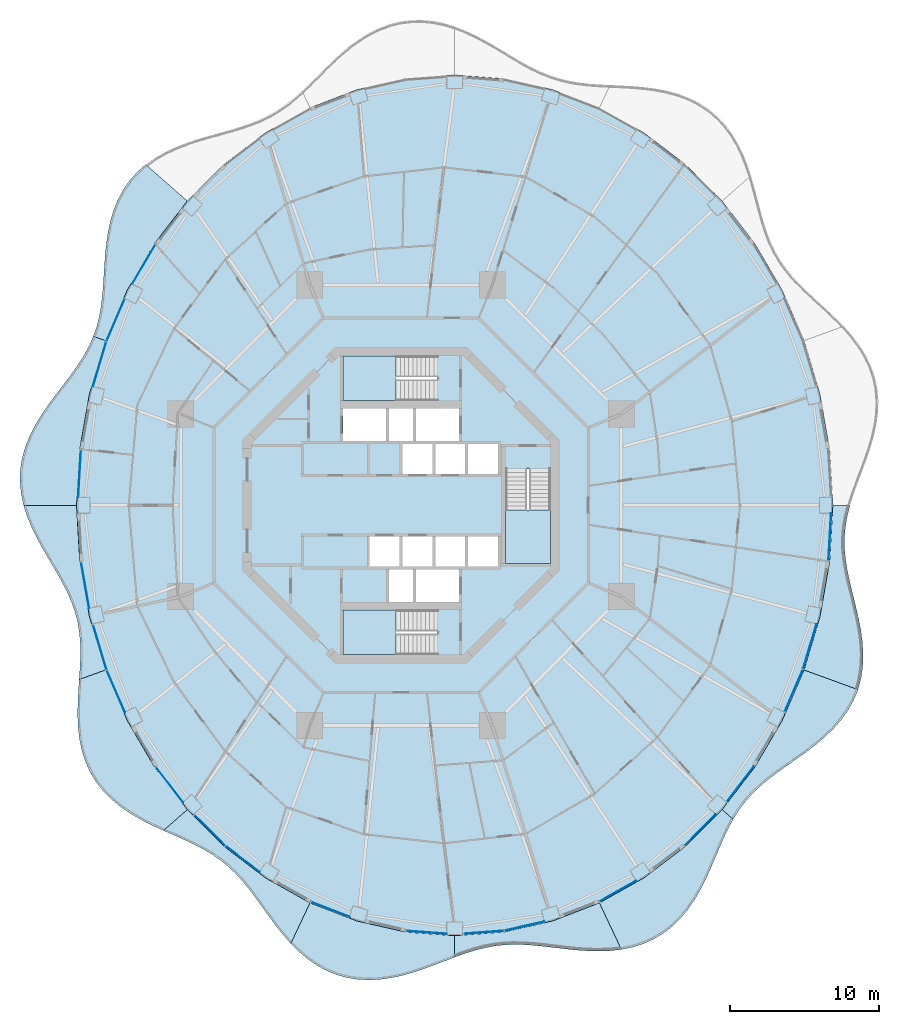
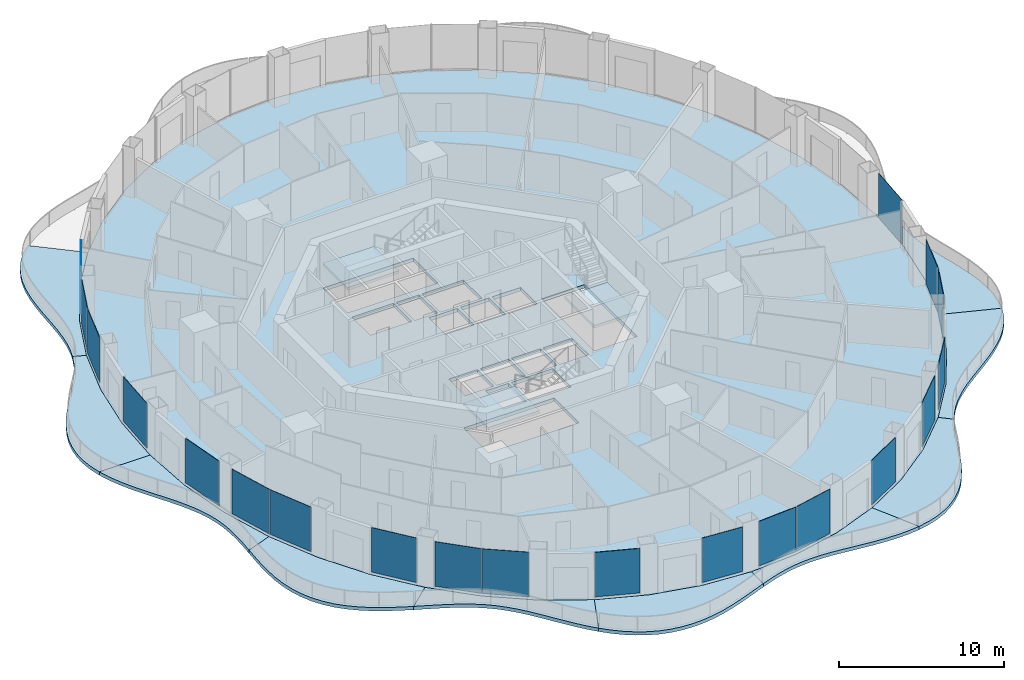
# One storey, part 9 of 19: 20 plates, 14 slabs, 23 elements without a shape of their own.
"""IFC4 building model written with IfcOpenShell, lengths in metres."""

from ifc_helpers import new_model, si_unit, direction, frame, origin, origin_2d, place, context, subcontext, project, spatial, polyline, rectangle, outline, extrude, material, layer, layer_set, type_object, element, aggregate, save


model = new_model("IFC4")

# Units and contexts
model_context = context("Model", 3, precision=1e-05, world=origin(), true_north=direction((0.0, 1.0)))
body_context = subcontext(model_context, "Body", "Model", "MODEL_VIEW")
ifc_project = project(units=[si_unit("LENGTHUNIT", "METRE"), si_unit("AREAUNIT", "SQUARE_METRE"), si_unit("VOLUMEUNIT", "CUBIC_METRE"), si_unit("PLANEANGLEUNIT", "RADIAN"), si_unit("MASSUNIT", "GRAM", prefix="KILO")], contexts=[model_context])

# Site, building, storey
site_placement = place(None, origin())
site = spatial("IfcSite", under=ifc_project, at=site_placement, CompositionType="ELEMENT")
building_placement = place(site_placement, origin())
building = spatial("IfcBuilding", under=site, at=building_placement, Name="Nagisa Residences", CompositionType="ELEMENT")
storey_placement = place(building_placement, frame((0.0, 0.0, 191.800048828125)))
storey = spatial("IfcBuildingStorey", under=building, at=storey_placement, Name="L48", CompositionType="ELEMENT", Elevation=191.800048828125)

# Slabs
ifc_material_1 = material(Name="Concrete C40/50", Category="concrete")
ifc_layer_1 = layer(ifc_material_1, 0.25)
ifc_layer_set_1 = layer_set([ifc_layer_1], Name="BALCONY SLAB 250")
slab_type_1 = type_object("IfcSlabType", Name="BALCONY SLAB 250", PredefinedType="FLOOR", material=ifc_layer_set_1)
slab_1_placement = place(storey_placement, frame((0.0, 0.0, -0.25)))
element("IfcSlab", 1, at=slab_1_placement, inside=storey, type_object=slab_type_1, Name="slab:L48:bal06", PredefinedType="FLOOR", context=body_context, shape_type="SweptSolid", body=[
    extrude(outline(polyline([(-17.132568359375, 22.869140625), (-17.717529296875, 22.348388671875), (-18.232177734375, 21.765380859375), (-18.671142578125, 21.123779296875), (-19.033203125, 20.43017578125), (-19.320068359375, 19.69287109375), (-19.537353515625, 18.92138671875), (-19.694091796875, 18.126220703125), (-19.8017578125, 17.318603515625), (-19.8740234375, 16.5087890625), (-19.92626953125, 15.705810546875), (-19.974365234375, 14.91796875), (-20.0341796875, 14.151123046875), (-20.119873046875, 13.4091796875), (-20.244140625, 12.694091796875), (-20.41650390625, 12.005615234375), (-20.64404296875, 11.34130859375), (-19.843505859375, 11.050048828125), (-18.37548828125, 14.4375), (-16.53125, 17.577880859375), (-14.3427734375, 20.417724609375), (-17.132568359375, 22.869140625)])), origin(), (0.0, 0.0, 1.0), 0.25),
])
slab_2_placement = place(storey_placement, frame((0.0, 0.0, -0.25)))
element("IfcSlab", 2, at=slab_2_placement, inside=storey, type_object=slab_type_1, Name="slab:L48:bal07", PredefinedType="FLOOR", context=body_context, shape_type="SweptSolid", body=[
    extrude(outline(polyline([(-20.64404296875, 11.34130859375), (-20.93896484375, 10.67724609375), (-21.2939453125, 10.02880859375), (-21.703125, 9.3896484375), (-22.156982421875, 8.75244140625), (-22.6416015625, 8.1103515625), (-23.14111328125, 7.45751953125), (-23.63720703125, 6.78857421875), (-24.11083984375, 6.10009765625), (-24.54296875, 5.390380859375), (-24.916259765625, 4.658935546875), (-25.21533203125, 3.907958984375), (-25.42822265625, 3.14013671875), (-25.546875, 2.360107421875), (-25.5673828125, 1.572998046875), (-25.490966796875, 0.784423828125), (-25.322998046875, 0.0), (-21.77490234375, 0.0), (-21.557861328125, 3.76904296875), (-20.910400390625, 7.473388671875), (-19.843505859375, 11.050048828125), (-20.64404296875, 11.34130859375)])), origin(), (0.0, 0.0, 1.0), 0.25),
])
slab_3_placement = place(storey_placement, frame((0.0, 0.0, -0.25)))
element("IfcSlab", 3, at=slab_3_placement, inside=storey, type_object=slab_type_1, Name="slab:L48:bal08", PredefinedType="FLOOR", context=body_context, shape_type="SweptSolid", body=[
    extrude(outline(polyline([(-25.322998046875, 0.0), (-25.0732421875, -0.775390625), (-24.755126953125, -1.5380859375), (-24.38525390625, -2.28515625), (-23.981689453125, -3.015625), (-23.56396484375, -3.729736328125), (-23.1513671875, -4.43017578125), (-22.76171875, -5.119873046875), (-22.410400390625, -5.80419921875), (-22.10986328125, -6.488525390625), (-21.868896484375, -7.178466796875), (-21.691162109375, -7.880126953125), (-21.576904296875, -8.59814453125), (-21.52099609375, -9.336669921875), (-21.51416015625, -10.097900390625), (-21.544189453125, -10.882080078125), (-21.595458984375, -11.687744140625), (-19.843505859375, -11.050048828125), (-20.910400390625, -7.473388671875), (-21.557861328125, -3.76904296875), (-21.77490234375, 0.0), (-25.322998046875, 0.0)])), origin(), (0.0, 0.0, 1.0), 0.25),
])
slab_4_placement = place(storey_placement, frame((0.0, 0.0, -0.25)))
element("IfcSlab", 4, at=slab_4_placement, inside=storey, type_object=slab_type_1, Name="slab:L48:bal09", PredefinedType="FLOOR", context=body_context, shape_type="SweptSolid", body=[
    extrude(outline(polyline([(-21.595458984375, -11.687744140625), (-21.648681640625, -12.485107421875), (-21.68896484375, -13.29345703125), (-21.69970703125, -14.10595703125), (-21.665283203125, -14.914306640625), (-21.572265625, -15.7099609375), (-21.40966796875, -16.483642578125), (-21.16943359375, -17.226318359375), (-20.84765625, -17.929931640625), (-20.443359375, -18.587890625), (-19.960205078125, -19.195556640625), (-19.404296875, -19.750244140625), (-18.78515625, -20.252197265625), (-18.115234375, -20.70361328125), (-17.407958984375, -21.1103515625), (-16.677978515625, -21.4794921875), (-15.939453125, -21.82080078125), (-14.3427734375, -20.417724609375), (-16.53125, -17.577880859375), (-18.37548828125, -14.4375), (-19.843505859375, -11.050048828125), (-21.595458984375, -11.687744140625)])), origin(), (0.0, 0.0, 1.0), 0.25),
])
slab_5_placement = place(storey_placement, frame((0.0, 0.0, -0.25)))
element("IfcSlab", 5, at=slab_5_placement, inside=storey, type_object=slab_type_1, Name="slab:L48:bal10", PredefinedType="FLOOR", context=body_context, shape_type="SweptSolid", body=[
    extrude(outline(polyline([(-15.939453125, -21.82080078125), (-15.240478515625, -22.130615234375), (-14.55712890625, -22.435791015625), (-13.89794921875, -22.74658203125), (-13.26953125, -23.07373046875), (-12.676025390625, -23.42626953125), (-12.118896484375, -23.8115234375), (-11.5966796875, -24.2353515625), (-11.10595703125, -24.700927734375), (-10.640869140625, -25.208740234375), (-10.194091796875, -25.756103515625), (-9.756591796875, -26.337646484375), (-9.319580078125, -26.945556640625), (-8.873291015625, -27.5693359375), (-8.408935546875, -28.196533203125), (-7.9189453125, -28.8134765625), (-7.396728515625, -29.405517578125), (-6.110595703125, -26.677001953125), (-9.08740234375, -25.006591796875), (-11.847412109375, -22.907958984375), (-14.3427734375, -20.417724609375), (-15.939453125, -21.82080078125)])), origin(), (0.0, 0.0, 1.0), 0.25),
])
slab_6_placement = place(storey_placement, frame((0.0, 0.0, -0.25)))
element("IfcSlab", 6, at=slab_6_placement, inside=storey, type_object=slab_type_1, Name="slab:L48:bal11", PredefinedType="FLOOR", context=body_context, shape_type="SweptSolid", body=[
    extrude(outline(polyline([(-7.396728515625, -29.405517578125), (-6.85888671875, -29.939453125), (-6.284912109375, -30.4248046875), (-5.67431640625, -30.850341796875), (-5.029052734375, -31.207275390625), (-4.35205078125, -31.488525390625), (-3.647705078125, -31.68994140625), (-2.922119140625, -31.809814453125), (-2.181640625, -31.85009765625), (-1.4326171875, -31.815185546875), (-0.68212890625, -31.712646484375), (0.064208984375, -31.552001953125), (0.80126953125, -31.3447265625), (1.525146484375, -31.1044921875), (2.233154296875, -30.8447265625), (2.924560546875, -30.57958984375), (3.60009765625, -30.322265625), (3.60009765625, -28.875), (0.287841796875, -28.6279296875), (-2.967529296875, -27.89111328125), (-6.110595703125, -26.677001953125), (-7.396728515625, -29.405517578125)])), origin(), (0.0, 0.0, 1.0), 0.25),
])
slab_7_placement = place(storey_placement, frame((0.0, 0.0, -0.25)))
element("IfcSlab", 7, at=slab_7_placement, inside=storey, type_object=slab_type_1, Name="slab:L48:bal12", PredefinedType="FLOOR", context=body_context, shape_type="SweptSolid", body=[
    extrude(outline(polyline([(3.60009765625, -30.322265625), (4.261474609375, -30.085205078125), (4.91259765625, -29.87841796875), (5.55712890625, -29.7099609375), (6.2001953125, -29.585205078125), (6.8466796875, -29.50634765625), (7.50146484375, -29.472900390625), (8.1689453125, -29.48095703125), (8.85205078125, -29.52392578125), (9.552978515625, -29.59326171875), (10.271728515625, -29.677978515625), (11.00732421875, -29.765869140625), (11.7568359375, -29.84375), (12.515625, -29.898681640625), (13.278076171875, -29.91796875), (14.037109375, -29.889892578125), (14.784912109375, -29.804931640625), (13.310546875, -26.677001953125), (10.16748046875, -27.89111328125), (6.912109375, -28.6279296875), (3.60009765625, -28.875), (3.60009765625, -30.322265625)])), origin(), (0.0, 0.0, 1.0), 0.25),
])
slab_8_placement = place(storey_placement, frame((0.0, 0.0, -0.25)))
element("IfcSlab", 8, at=slab_8_placement, inside=storey, type_object=slab_type_1, Name="slab:L48:bal13", PredefinedType="FLOOR", context=body_context, shape_type="SweptSolid", body=[
    extrude(outline(polyline([(14.784912109375, -29.804931640625), (15.540771484375, -29.6484375), (16.26708984375, -29.416259765625), (16.95654296875, -29.105712890625), (17.601806640625, -28.717529296875), (18.1982421875, -28.2548828125), (18.742919921875, -27.72412109375), (19.2353515625, -27.134033203125), (19.67724609375, -26.495361328125), (20.072998046875, -25.820068359375), (20.42919921875, -25.12109375), (20.754150390625, -24.41064453125), (21.05810546875, -23.70166015625), (21.351806640625, -23.004638671875), (21.646728515625, -22.328857421875), (21.9541015625, -21.68212890625), (22.28369140625, -21.068603515625), (21.542724609375, -20.417724609375), (19.04736328125, -22.907958984375), (16.28759765625, -25.006591796875), (13.310546875, -26.677001953125), (14.784912109375, -29.804931640625)])), origin(), (0.0, 0.0, 1.0), 0.25),
])
slab_9_placement = place(storey_placement, frame((0.0, 0.0, -0.25)))
element("IfcSlab", 9, at=slab_9_placement, inside=storey, type_object=slab_type_1, Name="slab:L48:bal14", PredefinedType="FLOOR", context=body_context, shape_type="SweptSolid", body=[
    extrude(outline(polyline([(22.28369140625, -21.068603515625), (22.6630859375, -20.464111328125), (23.084228515625, -19.899169921875), (23.55224609375, -19.370849609375), (24.067626953125, -18.8740234375), (24.62890625, -18.40087890625), (25.230224609375, -17.943115234375), (25.8623046875, -17.49072265625), (26.513916015625, -17.033447265625), (27.170654296875, -16.562255859375), (27.8173828125, -16.068359375), (28.438232421875, -15.54443359375), (29.017333984375, -14.985595703125), (29.5400390625, -14.38818359375), (29.993896484375, -13.751708984375), (30.369384765625, -13.07666015625), (30.659423828125, -12.3662109375), (27.04345703125, -11.050048828125), (25.575439453125, -14.4375), (23.7314453125, -17.577880859375), (21.542724609375, -20.417724609375), (22.28369140625, -21.068603515625)])), origin(), (0.0, 0.0, 1.0), 0.25),
])
slab_10_placement = place(storey_placement, frame((0.0, 0.0, -0.25)))
element("IfcSlab", 10, at=slab_10_placement, inside=storey, type_object=slab_type_1, Name="slab:L48:bal15", PredefinedType="FLOOR", context=body_context, shape_type="SweptSolid", body=[
    extrude(outline(polyline([(30.659423828125, -12.3662109375), (30.86669921875, -11.60107421875), (30.9814453125, -10.809814453125), (31.009521484375, -9.999755859375), (30.960693359375, -9.1787109375), (30.8486328125, -8.3544921875), (30.689208984375, -7.533935546875), (30.5009765625, -6.722412109375), (30.302734375, -5.9248046875), (30.113525390625, -5.14306640625), (29.95068359375, -4.378173828125), (29.829833984375, -3.629150390625), (29.7626953125, -2.893310546875), (29.757568359375, -2.167236328125), (29.81787109375, -1.4462890625), (29.94287109375, -0.7255859375), (30.126953125, 0.0), (28.97509765625, 0.0), (28.7578125, -3.76904296875), (28.1103515625, -7.473388671875), (27.04345703125, -11.050048828125), (30.659423828125, -12.3662109375)])), origin(), (0.0, 0.0, 1.0), 0.25),
])

# Curtain wall, plate
ifc_material_2 = material(Name="Concrete-coloured aluminium curtain wall system", Category="concrete")
ifc_layer_2 = layer(ifc_material_2, 0.159912109375)
ifc_layer_set_2 = layer_set([ifc_layer_2], Name="CW1 CURTAIN WALL")
curtain_wall_type = type_object("IfcCurtainWallType", Name="CW1 CURTAIN WALL", PredefinedType="NOTDEFINED", material=ifc_layer_set_2)
curtain_wall_1_placement = place(storey_placement, origin())
curtain_wall_1 = element("IfcCurtainWall", 11, at=curtain_wall_1_placement, inside=storey, type_object=curtain_wall_type, Name="cw:CW1:L48:19", PredefinedType="NOTDEFINED")
ifc_material_3 = material(Name="Clear laminated glass", Category="glass")
ifc_layer_3 = layer(ifc_material_3, 0.028076171875)
ifc_layer_set_3 = layer_set([ifc_layer_3], Name="CW1 GLASS PANEL")
plate_type = type_object("IfcPlateType", Name="CW1 GLASS PANEL", PredefinedType="CURTAIN_PANEL", material=ifc_layer_set_3)
plate_1_placement = place(storey_placement, frame((-17.26025390625, 16.178466796875, 0.14990234375), z_axis=(0.0, 0.0, 1.0), x_axis=(-0.506348567002, -0.862328898214, 0.0)))
plate_1 = element("IfcPlate", 12, at=plate_1_placement, type_object=plate_type, Name="CW1 panel", PredefinedType="CURTAIN_PANEL", context=body_context, shape_type="SweptSolid", body=[
    extrude(rectangle(XDim=3.031982421875, YDim=0.028076171875, at=origin_2d()), origin(), (0.0, 0.0, 1.0), 3.2900390625),
])
aggregate(curtain_wall_1, [plate_1])

curtain_wall_2_placement = place(storey_placement, origin())
curtain_wall_2 = element("IfcCurtainWall", 13, at=curtain_wall_2_placement, inside=storey, type_object=curtain_wall_type, Name="cw:CW1:L48:20", PredefinedType="NOTDEFINED")
plate_2_placement = place(storey_placement, frame((-19.1572265625, 12.43212890625, 0.14990234375), z_axis=(0.0, 0.0, 1.0), x_axis=(-0.397635934147, -0.917543276295, 0.0)))
plate_2 = element("IfcPlate", 14, at=plate_2_placement, type_object=plate_type, Name="CW1 panel", PredefinedType="CURTAIN_PANEL", context=body_context, shape_type="SweptSolid", body=[
    extrude(rectangle(XDim=3.08203125, YDim=0.028076171875, at=origin_2d()), origin(), (0.0, 0.0, 1.0), 3.2900390625),
])
aggregate(curtain_wall_2, [plate_2])

curtain_wall_3_placement = place(storey_placement, origin())
curtain_wall_3 = element("IfcCurtainWall", 15, at=curtain_wall_3_placement, inside=storey, type_object=curtain_wall_type, Name="cw:CW1:L48:21", PredefinedType="NOTDEFINED")
plate_3_placement = place(storey_placement, frame((-20.230224609375, 9.4736328125, 0.14990234375), z_axis=(0.0, 0.0, 1.0), x_axis=(-0.285860274038, -0.958271310082, 0.0)))
plate_3 = element("IfcPlate", 16, at=plate_3_placement, type_object=plate_type, Name="CW1 panel", PredefinedType="CURTAIN_PANEL", context=body_context, shape_type="SweptSolid", body=[
    extrude(rectangle(XDim=3.122314453125, YDim=0.028076171875, at=origin_2d()), origin(), (0.0, 0.0, 1.0), 3.2900390625),
])
aggregate(curtain_wall_3, [plate_3])

curtain_wall_4_placement = place(storey_placement, origin())
curtain_wall_4 = element("IfcCurtainWall", 17, at=curtain_wall_4_placement, inside=storey, type_object=curtain_wall_type, Name="cw:CW1:L48:23", PredefinedType="NOTDEFINED")
plate_4_placement = place(storey_placement, frame((-21.572509765625, 2.12451171875, 0.14990234375), z_axis=(0.0, 0.0, 1.0), x_axis=(-0.057503492216, -0.998345305184, 0.0)))
plate_4 = element("IfcPlate", 18, at=plate_4_placement, type_object=plate_type, Name="CW1 panel", PredefinedType="CURTAIN_PANEL", context=body_context, shape_type="SweptSolid", body=[
    extrude(rectangle(XDim=3.165283203125, YDim=0.028076171875, at=origin_2d()), origin(), (0.0, 0.0, 1.0), 3.2900390625),
])
aggregate(curtain_wall_4, [plate_4])

curtain_wall_5_placement = place(storey_placement, origin())
curtain_wall_5 = element("IfcCurtainWall", 19, at=curtain_wall_5_placement, inside=storey, type_object=curtain_wall_type, Name="cw:CW1:L48:25", PredefinedType="NOTDEFINED")
plate_5_placement = place(storey_placement, frame((-21.197509765625, -5.365966796875, 0.14990234375), z_axis=(0.0, 0.0, 1.0), x_axis=(0.172190868898, -0.985063604377, 0.0)))
plate_5 = element("IfcPlate", 20, at=plate_5_placement, type_object=plate_type, Name="CW1 panel", PredefinedType="CURTAIN_PANEL", context=body_context, shape_type="SweptSolid", body=[
    extrude(rectangle(XDim=3.150634765625, YDim=0.028076171875, at=origin_2d()), origin(), (0.0, 0.0, 1.0), 3.2900390625),
])
aggregate(curtain_wall_5, [plate_5])

curtain_wall_6_placement = place(storey_placement, origin())
curtain_wall_6 = element("IfcCurtainWall", 21, at=curtain_wall_6_placement, inside=storey, type_object=curtain_wall_type, Name="cw:CW1:L48:26", PredefinedType="NOTDEFINED")
plate_6_placement = place(storey_placement, frame((-20.213134765625, -9.531005859375, 0.14990234375), z_axis=(0.0, 0.0, 1.0), x_axis=(0.285860274038, -0.958271310082, 0.0)))
plate_6 = element("IfcPlate", 22, at=plate_6_placement, type_object=plate_type, Name="CW1 panel", PredefinedType="CURTAIN_PANEL", context=body_context, shape_type="SweptSolid", body=[
    extrude(rectangle(XDim=3.122314453125, YDim=0.028076171875, at=origin_2d()), origin(), (0.0, 0.0, 1.0), 3.2900390625),
])
aggregate(curtain_wall_6, [plate_6])

curtain_wall_7_placement = place(storey_placement, origin())
curtain_wall_7 = element("IfcCurtainWall", 23, at=curtain_wall_7_placement, inside=storey, type_object=curtain_wall_type, Name="cw:CW1:L48:27", PredefinedType="NOTDEFINED")
plate_7_placement = place(storey_placement, frame((-19.133544921875, -12.487060546875, 0.14990234375), z_axis=(0.0, 0.0, 1.0), x_axis=(0.397635934147, -0.917543276295, 0.0)))
plate_7 = element("IfcPlate", 24, at=plate_7_placement, type_object=plate_type, Name="CW1 panel", PredefinedType="CURTAIN_PANEL", context=body_context, shape_type="SweptSolid", body=[
    extrude(rectangle(XDim=3.08203125, YDim=0.028076171875, at=origin_2d()), origin(), (0.0, 0.0, 1.0), 3.2900390625),
])
aggregate(curtain_wall_7, [plate_7])

curtain_wall_8_placement = place(storey_placement, origin())
curtain_wall_8 = element("IfcCurtainWall", 25, at=curtain_wall_8_placement, inside=storey, type_object=curtain_wall_type, Name="cw:CW1:L48:29", PredefinedType="NOTDEFINED")
plate_8_placement = place(storey_placement, frame((-15.523193359375, -18.7548828125, 0.14990234375), z_axis=(0.0, 0.0, 1.0), x_axis=(0.610429828235, -0.792070340816, 0.0)))
plate_8 = element("IfcPlate", 26, at=plate_8_placement, type_object=plate_type, Name="CW1 panel", PredefinedType="CURTAIN_PANEL", context=body_context, shape_type="SweptSolid", body=[
    extrude(rectangle(XDim=2.97509765625, YDim=0.028076171875, at=origin_2d()), origin(), (0.0, 0.0, 1.0), 3.2900390625),
])
aggregate(curtain_wall_8, [plate_8])

curtain_wall_9_placement = place(storey_placement, origin())
curtain_wall_9 = element("IfcCurtainWall", 27, at=curtain_wall_9_placement, inside=storey, type_object=curtain_wall_type, Name="cw:CW1:L48:30", PredefinedType="NOTDEFINED")
plate_9_placement = place(storey_placement, frame((-12.82275390625, -21.82177734375, 0.14990234375), z_axis=(0.0, 0.0, 1.0), x_axis=(0.707835924016, -0.706376885714, 0.0)))
plate_9 = element("IfcPlate", 28, at=plate_9_placement, type_object=plate_type, Name="CW1 panel", PredefinedType="CURTAIN_PANEL", context=body_context, shape_type="SweptSolid", body=[
    extrude(rectangle(XDim=2.91552734375, YDim=0.028076171875, at=origin_2d()), origin(), (0.0, 0.0, 1.0), 3.2900390625),
])
aggregate(curtain_wall_9, [plate_9])

curtain_wall_10_placement = place(storey_placement, origin())
curtain_wall_10 = element("IfcCurtainWall", 29, at=curtain_wall_10_placement, inside=storey, type_object=curtain_wall_type, Name="cw:CW1:L48:31", PredefinedType="NOTDEFINED")
plate_10_placement = place(storey_placement, frame((-10.614013671875, -23.745361328125, 0.14990234375), z_axis=(0.0, 0.0, 1.0), x_axis=(0.79603132756, -0.605255421737, 0.0)))
plate_10 = element("IfcPlate", 30, at=plate_10_placement, type_object=plate_type, Name="CW1 panel", PredefinedType="CURTAIN_PANEL", context=body_context, shape_type="SweptSolid", body=[
    extrude(rectangle(XDim=2.85693359375, YDim=0.028076171875, at=origin_2d()), origin(), (0.0, 0.0, 1.0), 3.2900390625),
])
aggregate(curtain_wall_10, [plate_10])

curtain_wall_11_placement = place(storey_placement, origin())
curtain_wall_11 = element("IfcCurtainWall", 31, at=curtain_wall_11_placement, inside=storey, type_object=curtain_wall_type, Name="cw:CW1:L48:33", PredefinedType="NOTDEFINED")
plate_11_placement = place(storey_placement, frame((-4.73876953125, -27.12109375, 0.14990234375), z_axis=(0.0, 0.0, 1.0), x_axis=(0.932825759707, -0.360327770268, 0.0)))
plate_11 = element("IfcPlate", 32, at=plate_11_placement, type_object=plate_type, Name="CW1 panel", PredefinedType="CURTAIN_PANEL", context=body_context, shape_type="SweptSolid", body=[
    extrude(rectangle(XDim=2.75927734375, YDim=0.028076171875, at=origin_2d()), origin(), (0.0, 0.0, 1.0), 3.2900390625),
])
aggregate(curtain_wall_11, [plate_11])

curtain_wall_12_placement = place(storey_placement, origin())
curtain_wall_12 = element("IfcCurtainWall", 33, at=curtain_wall_12_placement, inside=storey, type_object=curtain_wall_type, Name="cw:CW1:L48:35", PredefinedType="NOTDEFINED")
plate_12_placement = place(storey_placement, frame((1.70556640625, -28.653564453125, 0.14990234375), z_axis=(0.0, 0.0, 1.0), x_axis=(0.997230168512, -0.074377355493, 0.0)))
plate_12 = element("IfcPlate", 34, at=plate_12_placement, type_object=plate_type, Name="CW1 panel", PredefinedType="CURTAIN_PANEL", context=body_context, shape_type="SweptSolid", body=[
    extrude(rectangle(XDim=2.711181640625, YDim=0.028076171875, at=origin_2d()), origin(), (0.0, 0.0, 1.0), 3.2900390625),
])
aggregate(curtain_wall_12, [plate_12])

curtain_wall_13_placement = place(storey_placement, origin())
curtain_wall_13 = element("IfcCurtainWall", 35, at=curtain_wall_13_placement, inside=storey, type_object=curtain_wall_type, Name="cw:CW1:L48:36", PredefinedType="NOTDEFINED")
plate_13_placement = place(storey_placement, frame((5.55419921875, -28.64892578125, 0.14990234375), z_axis=(0.0, 0.0, 1.0), x_axis=(0.997230168512, 0.074377355493, 0.0)))
plate_13 = element("IfcPlate", 36, at=plate_13_placement, type_object=plate_type, Name="CW1 panel", PredefinedType="CURTAIN_PANEL", context=body_context, shape_type="SweptSolid", body=[
    extrude(rectangle(XDim=2.711181640625, YDim=0.028076171875, at=origin_2d()), origin(), (0.0, 0.0, 1.0), 3.2900390625),
])
aggregate(curtain_wall_13, [plate_13])

curtain_wall_14_placement = place(storey_placement, origin())
curtain_wall_14 = element("IfcCurtainWall", 37, at=curtain_wall_14_placement, inside=storey, type_object=curtain_wall_type, Name="cw:CW1:L48:37", PredefinedType="NOTDEFINED")
plate_14_placement = place(storey_placement, frame((8.283203125, -28.235595703125, 0.14990234375), z_axis=(0.0, 0.0, 1.0), x_axis=(0.975327274089, 0.2207639201, 0.0)))
plate_14 = element("IfcPlate", 38, at=plate_14_placement, type_object=plate_type, Name="CW1 panel", PredefinedType="CURTAIN_PANEL", context=body_context, shape_type="SweptSolid", body=[
    extrude(rectangle(XDim=2.727783203125, YDim=0.028076171875, at=origin_2d()), origin(), (0.0, 0.0, 1.0), 3.2900390625),
])
aggregate(curtain_wall_14, [plate_14])

curtain_wall_15_placement = place(storey_placement, origin())
curtain_wall_15 = element("IfcCurtainWall", 39, at=curtain_wall_15_placement, inside=storey, type_object=curtain_wall_type, Name="cw:CW1:L48:39", PredefinedType="NOTDEFINED")
plate_15_placement = place(storey_placement, frame((14.546142578125, -25.891845703125, 0.14990234375), z_axis=(0.0, 0.0, 1.0), x_axis=(0.872072377523, 0.489376918501, 0.0)))
plate_15 = element("IfcPlate", 40, at=plate_15_placement, type_object=plate_type, Name="CW1 panel", PredefinedType="CURTAIN_PANEL", context=body_context, shape_type="SweptSolid", body=[
    extrude(rectangle(XDim=2.8037109375, YDim=0.028076171875, at=origin_2d()), origin(), (0.0, 0.0, 1.0), 3.2900390625),
])
aggregate(curtain_wall_15, [plate_15])

curtain_wall_16_placement = place(storey_placement, origin())
curtain_wall_16 = element("IfcCurtainWall", 41, at=curtain_wall_16_placement, inside=storey, type_object=curtain_wall_type, Name="cw:CW1:L48:41", PredefinedType="NOTDEFINED")
plate_16_placement = place(storey_placement, frame((20.065185546875, -21.779296875, 0.14990234375), z_axis=(0.0, 0.0, 1.0), x_axis=(0.707835924016, 0.706376885714, 0.0)))
plate_16 = element("IfcPlate", 42, at=plate_16_placement, type_object=plate_type, Name="CW1 panel", PredefinedType="CURTAIN_PANEL", context=body_context, shape_type="SweptSolid", body=[
    extrude(rectangle(XDim=2.91552734375, YDim=0.028076171875, at=origin_2d()), origin(), (0.0, 0.0, 1.0), 3.2900390625),
])
aggregate(curtain_wall_16, [plate_16])

curtain_wall_17_placement = place(storey_placement, origin())
curtain_wall_17 = element("IfcCurtainWall", 43, at=curtain_wall_17_placement, inside=storey, type_object=curtain_wall_type, Name="cw:CW1:L48:42", PredefinedType="NOTDEFINED")
plate_17_placement = place(storey_placement, frame((22.760009765625, -18.70751953125, 0.14990234375), z_axis=(0.0, 0.0, 1.0), x_axis=(0.610429828235, 0.792070340816, 0.0)))
plate_17 = element("IfcPlate", 44, at=plate_17_placement, type_object=plate_type, Name="CW1 panel", PredefinedType="CURTAIN_PANEL", context=body_context, shape_type="SweptSolid", body=[
    extrude(rectangle(XDim=2.97509765625, YDim=0.028076171875, at=origin_2d()), origin(), (0.0, 0.0, 1.0), 3.2900390625),
])
aggregate(curtain_wall_17, [plate_17])

curtain_wall_18_placement = place(storey_placement, origin())
curtain_wall_18 = element("IfcCurtainWall", 45, at=curtain_wall_18_placement, inside=storey, type_object=curtain_wall_type, Name="cw:CW1:L48:44", PredefinedType="NOTDEFINED")
plate_18_placement = place(storey_placement, frame((26.357177734375, -12.43212890625, 0.14990234375), z_axis=(0.0, 0.0, 1.0), x_axis=(0.397635934147, 0.917543276295, 0.0)))
plate_18 = element("IfcPlate", 46, at=plate_18_placement, type_object=plate_type, Name="CW1 panel", PredefinedType="CURTAIN_PANEL", context=body_context, shape_type="SweptSolid", body=[
    extrude(rectangle(XDim=3.08203125, YDim=0.028076171875, at=origin_2d()), origin(), (0.0, 0.0, 1.0), 3.2900390625),
])
aggregate(curtain_wall_18, [plate_18])

curtain_wall_19_placement = place(storey_placement, origin())
curtain_wall_19 = element("IfcCurtainWall", 47, at=curtain_wall_19_placement, inside=storey, type_object=curtain_wall_type, Name="cw:CW1:L48:45", PredefinedType="NOTDEFINED")
plate_19_placement = place(storey_placement, frame((27.43017578125, -9.4736328125, 0.14990234375), z_axis=(0.0, 0.0, 1.0), x_axis=(0.285860274038, 0.958271310082, 0.0)))
plate_19 = element("IfcPlate", 48, at=plate_19_placement, type_object=plate_type, Name="CW1 panel", PredefinedType="CURTAIN_PANEL", context=body_context, shape_type="SweptSolid", body=[
    extrude(rectangle(XDim=3.122314453125, YDim=0.028076171875, at=origin_2d()), origin(), (0.0, 0.0, 1.0), 3.2900390625),
])
aggregate(curtain_wall_19, [plate_19])

curtain_wall_20_placement = place(storey_placement, origin())
curtain_wall_20 = element("IfcCurtainWall", 49, at=curtain_wall_20_placement, inside=storey, type_object=curtain_wall_type, Name="cw:CW1:L48:47", PredefinedType="NOTDEFINED")
plate_20_placement = place(storey_placement, frame((28.7724609375, -2.12451171875, 0.14990234375), z_axis=(0.0, 0.0, 1.0), x_axis=(0.057503492216, 0.998345305184, 0.0)))
plate_20 = element("IfcPlate", 50, at=plate_20_placement, type_object=plate_type, Name="CW1 panel", PredefinedType="CURTAIN_PANEL", context=body_context, shape_type="SweptSolid", body=[
    extrude(rectangle(XDim=3.165283203125, YDim=0.028076171875, at=origin_2d()), origin(), (0.0, 0.0, 1.0), 3.2900390625),
])
aggregate(curtain_wall_20, [plate_20])

# Slab
ifc_material_4 = material(Name="Concrete C40", Category="concrete")
ifc_layer_4 = layer(ifc_material_4, 0.260009765625)
ifc_layer_set_4 = layer_set([ifc_layer_4], Name="Floor slab 260")
slab_type_2 = type_object("IfcSlabType", Name="Floor slab 260", PredefinedType="FLOOR", material=ifc_layer_set_4)
slab_11_placement = place(storey_placement, frame((0.0, 0.0, -0.260009765625)))
element("IfcSlab", 51, at=slab_11_placement, inside=storey, type_object=slab_type_2, Name="slab:L48:floor", PredefinedType="FLOOR", context=body_context, shape_type="SweptSolid", body=[
    extrude(outline(polyline([(28.97509765625, 0.0), (28.7578125, 3.76904296875), (28.1103515625, 7.473388671875), (27.04345703125, 11.050048828125), (25.575439453125, 14.4375), (23.7314453125, 17.577880859375), (21.542724609375, 20.417724609375), (19.04736328125, 22.907958984375), (16.28759765625, 25.006591796875), (13.310546875, 26.677001953125), (10.16748046875, 27.89111328125), (6.912109375, 28.6279296875), (3.60009765625, 28.875), (0.287841796875, 28.6279296875), (-2.967529296875, 27.89111328125), (-6.110595703125, 26.677001953125), (-9.08740234375, 25.006591796875), (-11.847412109375, 22.907958984375), (-14.3427734375, 20.417724609375), (-16.53125, 17.577880859375), (-18.37548828125, 14.4375), (-19.843505859375, 11.050048828125), (-20.910400390625, 7.473388671875), (-21.557861328125, 3.76904296875), (-21.77490234375, 0.0), (-21.557861328125, -3.76904296875), (-20.910400390625, -7.473388671875), (-19.843505859375, -11.050048828125), (-18.37548828125, -14.4375), (-16.53125, -17.577880859375), (-14.3427734375, -20.417724609375), (-11.847412109375, -22.907958984375), (-9.08740234375, -25.006591796875), (-6.110595703125, -26.677001953125), (-2.967529296875, -27.89111328125), (0.287841796875, -28.6279296875), (3.60009765625, -28.875), (6.912109375, -28.6279296875), (10.16748046875, -27.89111328125), (13.310546875, -26.677001953125), (16.28759765625, -25.006591796875), (19.04736328125, -22.907958984375), (21.542724609375, -20.417724609375), (23.7314453125, -17.577880859375), (25.575439453125, -14.4375), (27.04345703125, -11.050048828125), (28.1103515625, -7.473388671875), (28.7578125, -3.76904296875), (28.97509765625, 0.0)]), holes=[polyline([(2.10009765625, 2.10009765625), (2.10009765625, 4.10009765625), (0.10009765625, 4.10009765625), (0.10009765625, 2.10009765625), (2.10009765625, 2.10009765625)]), polyline([(4.300048828125, 2.10009765625), (4.300048828125, 4.10009765625), (2.300048828125, 4.10009765625), (2.300048828125, 2.10009765625), (4.300048828125, 2.10009765625)]), polyline([(6.5, 2.10009765625), (6.5, 4.10009765625), (4.5, 4.10009765625), (4.5, 2.10009765625), (6.5, 2.10009765625)]), polyline([(-0.10009765625, -4.10009765625), (-0.10009765625, -2.10009765625), (-2.10009765625, -2.10009765625), (-2.10009765625, -4.10009765625), (-0.10009765625, -4.10009765625)]), polyline([(2.10009765625, -4.10009765625), (2.10009765625, -2.10009765625), (0.10009765625, -2.10009765625), (0.10009765625, -4.10009765625), (2.10009765625, -4.10009765625)]), polyline([(4.300048828125, -4.10009765625), (4.300048828125, -2.10009765625), (2.300048828125, -2.10009765625), (2.300048828125, -4.10009765625), (4.300048828125, -4.10009765625)]), polyline([(6.5, -4.10009765625), (6.5, -2.10009765625), (4.5, -2.10009765625), (4.5, -4.10009765625), (6.5, -4.10009765625)]), polyline([(3.89990234375, 4.300048828125), (3.89990234375, 6.5), (1.0, 6.5), (1.0, 4.300048828125), (3.89990234375, 4.300048828125)]), polyline([(3.89990234375, -6.5), (3.89990234375, -4.300048828125), (1.0, -4.300048828125), (1.0, -6.5), (3.89990234375, -6.5)]), polyline([(-1.0, 4.300048828125), (-1.0, 6.5), (-3.89990234375, 6.5), (-3.89990234375, 4.300048828125), (-1.0, 4.300048828125)]), polyline([(0.800048828125, 4.300048828125), (0.800048828125, 6.5), (-0.800048828125, 6.5), (-0.800048828125, 4.300048828125), (0.800048828125, 4.300048828125)]), polyline([(0.800048828125, -6.5), (0.800048828125, -4.300048828125), (-0.800048828125, -4.300048828125), (-0.800048828125, -6.5), (0.800048828125, -6.5)]), polyline([(10.024658203125, -3.89990234375), (7.024658203125, -3.89990234375), (7.024658203125, 2.425048828125), (10.024658203125, 2.425048828125), (10.024658203125, -3.89990234375)]), polyline([(-3.89990234375, 7.024658203125), (-3.89990234375, 10.024658203125), (2.425048828125, 10.024658203125), (2.425048828125, 7.024658203125), (-3.89990234375, 7.024658203125)]), polyline([(-3.89990234375, -10.024658203125), (-3.89990234375, -7.024658203125), (2.425048828125, -7.024658203125), (2.425048828125, -10.024658203125), (-3.89990234375, -10.024658203125)])]), origin(), (0.0, 0.0, 1.0), 0.260009765625),
])

# Stair, slab
ifc_material_5 = material(Name="Concrete C60", Category="concrete")
stair_type = type_object("IfcStairType", Name="Exit stair", PredefinedType="HALF_TURN_STAIR", material=ifc_material_5)
stair_1_placement = place(storey_placement, origin())
stair_1 = element("IfcStair", 52, at=stair_1_placement, inside=storey, type_object=stair_type, Name="L48 Exit stair E", PredefinedType="HALF_TURN_STAIR")
ifc_material_6 = material(Name="Concrete C60", Category="concrete")
ifc_layer_5 = layer(ifc_material_6, 0.199951171875)
ifc_layer_set_5 = layer_set([ifc_layer_5], Name="Stair landing")
slab_type_3 = type_object("IfcSlabType", Name="Stair landing", PredefinedType="LANDING", material=ifc_layer_set_5)
slab_12_placement = place(storey_placement, frame((0.0, 0.0, 1.64990234375)))
slab_12 = element("IfcSlab", 53, at=slab_12_placement, type_object=slab_type_3, Name="ST-E landing 1", PredefinedType="LANDING", context=body_context, shape_type="SweptSolid", body=[
    extrude(outline(polyline([(7.024658203125, -0.324951171875), (7.024658203125, -3.89990234375), (10.024658203125, -3.89990234375), (10.024658203125, -0.324951171875), (7.024658203125, -0.324951171875)])), origin(), (0.0, 0.0, 1.0), 0.199951171875),
])
aggregate(stair_1, [slab_12])

stair_2_placement = place(storey_placement, origin())
stair_2 = element("IfcStair", 54, at=stair_2_placement, inside=storey, type_object=stair_type, Name="L48 Exit stair N", PredefinedType="HALF_TURN_STAIR")
slab_13_placement = place(storey_placement, frame((0.0, 0.0, 1.64990234375)))
slab_13 = element("IfcSlab", 55, at=slab_13_placement, type_object=slab_type_3, Name="ST-N landing 1", PredefinedType="LANDING", context=body_context, shape_type="SweptSolid", body=[
    extrude(outline(polyline([(-0.324951171875, 10.024658203125), (-3.89990234375, 10.024658203125), (-3.89990234375, 7.024658203125), (-0.324951171875, 7.024658203125), (-0.324951171875, 10.024658203125)])), origin(), (0.0, 0.0, 1.0), 0.199951171875),
])
aggregate(stair_2, [slab_13])

stair_3_placement = place(storey_placement, origin())
stair_3 = element("IfcStair", 56, at=stair_3_placement, inside=storey, type_object=stair_type, Name="L48 Exit stair S", PredefinedType="HALF_TURN_STAIR")
slab_14_placement = place(storey_placement, frame((0.0, 0.0, 1.64990234375)))
slab_14 = element("IfcSlab", 57, at=slab_14_placement, type_object=slab_type_3, Name="ST-S landing 1", PredefinedType="LANDING", context=body_context, shape_type="SweptSolid", body=[
    extrude(outline(polyline([(-0.324951171875, -7.024658203125), (-3.89990234375, -7.024658203125), (-3.89990234375, -10.024658203125), (-0.324951171875, -10.024658203125), (-0.324951171875, -7.024658203125)])), origin(), (0.0, 0.0, 1.0), 0.199951171875),
])
aggregate(stair_3, [slab_14])

save(model, "model.ifc")
